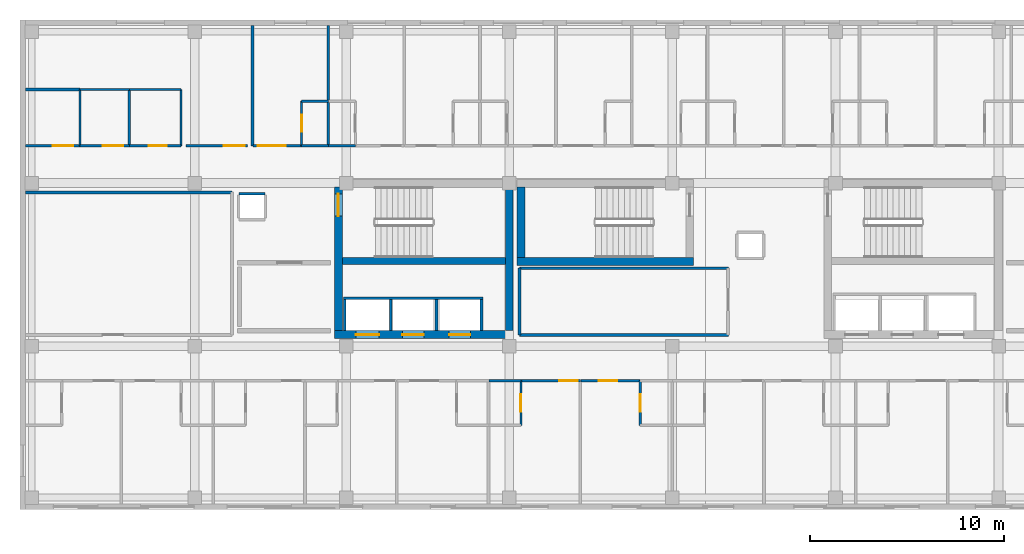
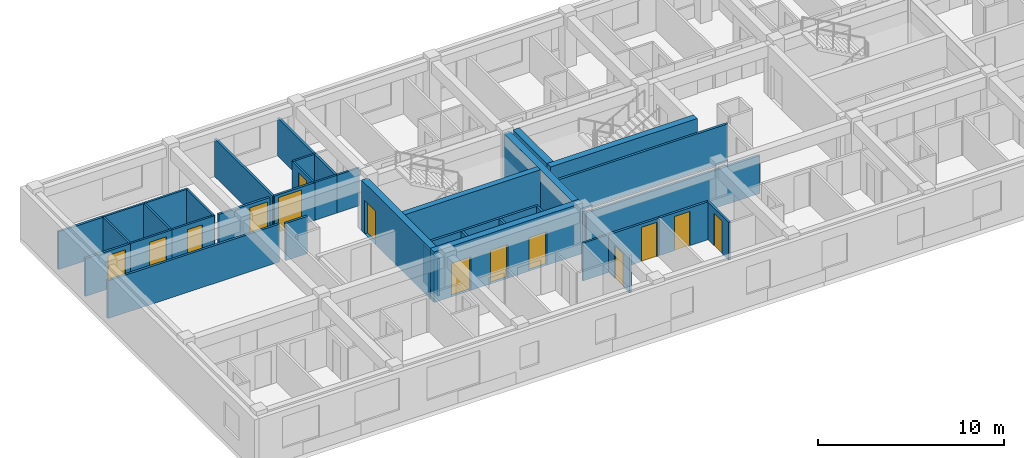
# One storey, part 3 of 11: 38 walls, 14 doors, 14 openings.
"""IFC4 building model written with IfcOpenShell, lengths in metres."""

from ifc_helpers import new_model, si_unit, direction, frame, frame_2d, origin, place, context, subcontext, project, spatial, rectangle, extrude, material, layer, layer_set, type_object, element, fill, save


model = new_model("IFC4")

# Units and contexts
model_context = context("Model", 3, precision=1e-05, world=origin(), true_north=direction((0.0, 1.0)))
body_context = subcontext(model_context, "Body", "Model", "MODEL_VIEW")
ifc_project = project(units=[si_unit("LENGTHUNIT", "METRE"), si_unit("AREAUNIT", "SQUARE_METRE"), si_unit("VOLUMEUNIT", "CUBIC_METRE"), si_unit("PLANEANGLEUNIT", "RADIAN"), si_unit("MASSUNIT", "GRAM", prefix="KILO")], contexts=[model_context])

# Site, building, storey
site_placement = place(None, origin())
site = spatial("IfcSite", under=ifc_project, at=site_placement, CompositionType="ELEMENT")
building_placement = place(site_placement, origin())
building = spatial("IfcBuilding", under=site, at=building_placement, Name="Zayran Congress Hotel", CompositionType="ELEMENT")
storey_placement = place(building_placement, frame((0.0, 0.0, 26.39990234375)))
storey = spatial("IfcBuildingStorey", under=building, at=storey_placement, Name="L06", CompositionType="ELEMENT", Elevation=26.39990234375)

# Wall, openings, doors
ifc_material_1 = material(Name="Concrete C40/50", Category="concrete")
ifc_layer_1 = layer(ifc_material_1, 0.39990234375)
ifc_layer_set_1 = layer_set([ifc_layer_1], Name="Concrete C40/50")
wall_type_1 = type_object("IfcWallType", Name="WL-SH-400", PredefinedType="SHEAR", material=ifc_layer_set_1)
wall_1_placement = place(storey_placement, frame((24.60009765625, 17.800048828125, 0.0), z_axis=(0.0, 0.0, 1.0), x_axis=(1.0, 0.0, 0.0)))
wall_1 = element("IfcWall", 1, at=wall_1_placement, inside=storey, type_object=wall_type_1, Name="CWALL-C-V5W-L06-S", PredefinedType="SHEAR", context=body_context, shape_type="SweptSolid", body=[
    extrude(rectangle(XDim=9.199951171875, YDim=0.39990234375, at=frame_2d((4.60009765625, 0.0))), origin(), (0.0, 0.0, 1.0), 3.320068359375),
])
opening_1_placement = place(wall_1_placement, frame((1.10009765625, 0.0, 0.0)))
opening_1 = element("IfcOpeningElement", 2, at=opening_1_placement, cuts=wall_1, Name="Opening LD-FL01", PredefinedType="OPENING", context=body_context, shape_type="SweptSolid", body=[
    extrude(rectangle(XDim=1.199951171875, YDim=2.199951171875, at=frame_2d((0.60009765625, 1.10009765625))), frame((0.0, 0.2099609375, 0.0), z_axis=(0.0, -1.0, 0.0), x_axis=(1.0, 0.0, 0.0)), (0.0, 0.0, 1.0), 0.419921875),
])
opening_2_placement = place(wall_1_placement, frame((3.5, 0.0, 0.0)))
opening_2 = element("IfcOpeningElement", 3, at=opening_2_placement, cuts=wall_1, Name="Opening LD-PL01", PredefinedType="OPENING", context=body_context, shape_type="SweptSolid", body=[
    extrude(rectangle(XDim=1.10009765625, YDim=2.199951171875, at=frame_2d((0.550048828125, 1.10009765625))), frame((0.0, 0.2099609375, 0.0), z_axis=(0.0, -1.0, 0.0), x_axis=(1.0, 0.0, 0.0)), (0.0, 0.0, 1.0), 0.419921875),
])
opening_3_placement = place(wall_1_placement, frame((5.89990234375, 0.0, 0.0)))
opening_3 = element("IfcOpeningElement", 4, at=opening_3_placement, cuts=wall_1, Name="Opening LD-PL02", PredefinedType="OPENING", context=body_context, shape_type="SweptSolid", body=[
    extrude(rectangle(XDim=1.10009765625, YDim=2.199951171875, at=frame_2d((0.550048828125, 1.10009765625))), frame((0.0, 0.2099609375, 0.0), z_axis=(0.0, -1.0, 0.0), x_axis=(1.0, 0.0, 0.0)), (0.0, 0.0, 1.0), 0.419921875),
])
ifc_material_2 = material(Name="Brushed stainless steel sliding lift landing door", Category="steel")
door_type_1 = type_object("IfcDoorType", Name="TP-DR-LD-01", OperationType="DOUBLE_DOOR_SLIDING", PredefinedType="DOOR", material=ifc_material_2)
door_1_placement = place(opening_2_placement, origin())
door_1 = element("IfcDoor", 5, at=door_1_placement, inside=storey, type_object=door_type_1, Name="Lift PL-01 Sliding Landing Door L06", OperationType="DOUBLE_DOOR_SLIDING", OverallHeight=2.199951171875, OverallWidth=1.10009765625, PredefinedType="DOOR", context=body_context, shape_type="SweptSolid", body=[
    extrude(rectangle(XDim=1.10009765625, YDim=2.199951171875, at=frame_2d((0.550048828125, 1.10009765625))), frame((0.0, 0.02490234375, 0.0), z_axis=(0.0, -1.0, 0.0), x_axis=(1.0, 0.0, 0.0)), (0.0, 0.0, 1.0), 0.050048828125),
])
fill(opening_2, door_1)
door_2_placement = place(opening_3_placement, origin())
door_2 = element("IfcDoor", 6, at=door_2_placement, inside=storey, type_object=door_type_1, Name="Lift PL-02 Sliding Landing Door L06", OperationType="DOUBLE_DOOR_SLIDING", OverallHeight=2.199951171875, OverallWidth=1.10009765625, PredefinedType="DOOR", context=body_context, shape_type="SweptSolid", body=[
    extrude(rectangle(XDim=1.10009765625, YDim=2.199951171875, at=frame_2d((0.550048828125, 1.10009765625))), frame((0.0, 0.02490234375, 0.0), z_axis=(0.0, -1.0, 0.0), x_axis=(1.0, 0.0, 0.0)), (0.0, 0.0, 1.0), 0.050048828125),
])
fill(opening_3, door_2)
ifc_material_3 = material(Name="Brushed stainless steel firefighting lift landing door", Category="steel")
door_type_2 = type_object("IfcDoorType", Name="TP-DR-LD-02", OperationType="DOUBLE_DOOR_SLIDING", PredefinedType="DOOR", material=ifc_material_3)
door_3_placement = place(opening_1_placement, origin())
door_3 = element("IfcDoor", 7, at=door_3_placement, inside=storey, type_object=door_type_2, Name="Lift FL-01 Sliding Landing Door L06", OperationType="DOUBLE_DOOR_SLIDING", OverallHeight=2.199951171875, OverallWidth=1.199951171875, PredefinedType="DOOR", context=body_context, shape_type="SweptSolid", body=[
    extrude(rectangle(XDim=1.199951171875, YDim=2.199951171875, at=frame_2d((0.60009765625, 1.10009765625))), frame((0.0, 0.02490234375, 0.0), z_axis=(0.0, -1.0, 0.0), x_axis=(1.0, 0.0, 0.0)), (0.0, 0.0, 1.0), 0.050048828125),
])
fill(opening_1, door_3)

# Wall, opening, door
wall_2_placement = place(storey_placement, frame((24.800048828125, 25.39990234375, 0.0), z_axis=(0.0, 0.0, 1.0), x_axis=(0.0, -1.0, 0.0)))
wall_2 = element("IfcWall", 8, at=wall_2_placement, inside=storey, type_object=wall_type_1, Name="CWALL-C-V5W-L06-W", PredefinedType="SHEAR", context=body_context, shape_type="SweptSolid", body=[
    extrude(rectangle(XDim=7.39990234375, YDim=0.39990234375, at=frame_2d((3.699951171875, 0.0))), origin(), (0.0, 0.0, 1.0), 3.320068359375),
])
opening_4_placement = place(wall_2_placement, frame((0.35009765625, 0.0, 0.0)))
opening_4 = element("IfcOpeningElement", 9, at=opening_4_placement, cuts=wall_2, Name="Opening DR-FD-90", PredefinedType="OPENING", context=body_context, shape_type="SweptSolid", body=[
    extrude(rectangle(XDim=1.14990234375, YDim=2.199951171875, at=frame_2d((0.574951171875, 1.10009765625))), frame((0.0, 0.2099609375, 0.0), z_axis=(0.0, -1.0, 0.0), x_axis=(1.0, 0.0, 0.0)), (0.0, 0.0, 1.0), 0.419921875),
])
ifc_material_4 = material(Name="Painted steel fire door assembly", Category="steel")
door_type_3 = type_object("IfcDoorType", Name="TP-DR-FD-90", OperationType="NOTDEFINED", PredefinedType="DOOR", material=ifc_material_4)
door_4_placement = place(opening_4_placement, origin())
door_4 = element("IfcDoor", 10, at=door_4_placement, inside=storey, type_object=door_type_3, Name="ST-01 Exit Stair Door L06", OperationType="SINGLE_SWING_LEFT", OverallHeight=2.199951171875, OverallWidth=1.14990234375, PredefinedType="DOOR", context=body_context, shape_type="SweptSolid", body=[
    extrude(rectangle(XDim=1.14990234375, YDim=2.199951171875, at=frame_2d((0.574951171875, 1.10009765625))), frame((0.0, 0.02490234375, 0.0), z_axis=(0.0, -1.0, 0.0), x_axis=(1.0, 0.0, 0.0)), (0.0, 0.0, 1.0), 0.050048828125),
])
fill(opening_4, door_4)

# Walls
wall_3_placement = place(storey_placement, frame((33.60009765625, 18.0, 0.0), z_axis=(0.0, 0.0, 1.0), x_axis=(0.0, 1.0, 0.0)))
element("IfcWall", 11, at=wall_3_placement, inside=storey, type_object=wall_type_1, Name="CWALL-C-V5W-L06-E", PredefinedType="SHEAR", context=body_context, shape_type="SweptSolid", body=[
    extrude(rectangle(XDim=7.39990234375, YDim=0.39990234375, at=frame_2d((3.699951171875, 0.0))), origin(), (0.0, 0.0, 1.0), 3.320068359375),
])
wall_4_placement = place(storey_placement, frame((34.0, 21.56005859375, 0.0), z_axis=(0.0, 0.0, 1.0), x_axis=(1.0, 0.0, 0.0)))
element("IfcWall", 12, at=wall_4_placement, inside=storey, type_object=wall_type_1, Name="CWALL-C-V5M-L06-S", PredefinedType="SHEAR", context=body_context, shape_type="SweptSolid", body=[
    extrude(rectangle(XDim=9.10009765625, YDim=0.39990234375, at=frame_2d((4.550048828125, 0.0))), origin(), (0.0, 0.0, 1.0), 3.320068359375),
])
wall_5_placement = place(storey_placement, frame((34.199951171875, 25.39990234375, 0.0), z_axis=(0.0, 0.0, 1.0), x_axis=(0.0, -1.0, 0.0)))
element("IfcWall", 13, at=wall_5_placement, inside=storey, type_object=wall_type_1, Name="CWALL-C-V5M-L06-W", PredefinedType="SHEAR", context=body_context, shape_type="SweptSolid", body=[
    extrude(rectangle(XDim=3.639892578125, YDim=0.39990234375, at=frame_2d((1.81982421875, 0.0))), origin(), (0.0, 0.0, 1.0), 3.320068359375),
])
ifc_layer_2 = layer(ifc_material_1, 0.35009765625)
ifc_layer_set_2 = layer_set([ifc_layer_2], Name="Concrete C40/50")
wall_type_2 = type_object("IfcWallType", Name="WL-SH-350", PredefinedType="SHEAR", material=ifc_layer_set_2)
wall_6_placement = place(storey_placement, frame((25.0, 21.5849609375, 0.0), z_axis=(0.0, 0.0, 1.0), x_axis=(1.0, 0.0, 0.0)))
element("IfcWall", 14, at=wall_6_placement, inside=storey, type_object=wall_type_2, Name="CWALL-C-V5W-L06-SPN", PredefinedType="SHEAR", context=body_context, shape_type="SweptSolid", body=[
    extrude(rectangle(XDim=8.39990234375, YDim=0.35009765625, at=frame_2d((4.199951171875, 0.0))), origin(), (0.0, 0.0, 1.0), 3.320068359375),
])
ifc_material_5 = material(Name="Hospitality guestroom acoustic partition", Category="gypsum")
ifc_layer_3 = layer(ifc_material_5, 0.139892578125)
ifc_layer_set_3 = layer_set([ifc_layer_3], Name="Hospitality guestroom acoustic partition")
wall_type_3 = type_object("IfcWallType", Name="WL-PT-140", PredefinedType="PARTITIONING", material=ifc_layer_set_3)
for number, where, z_axis, x_axis, name in (
    (15, (25.1298828125, 18.0, 0.0), (0.0, 0.0, 1.0), (0.0, 1.0, 0.0), "LSHW-C-V5W-L06-W"),
    (16, (27.5, 18.0, 0.0), (0.0, 0.0, 1.0), (0.0, 1.0, 0.0), "LSHW-C-V5W-L06-DIV1"),
    (17, (29.85009765625, 18.0, 0.0), (0.0, 0.0, 1.0), (0.0, 1.0, 0.0), "LSHW-C-V5W-L06-DIV2"),
    (18, (32.169921875, 18.0, 0.0), (0.0, 0.0, 1.0), (0.0, 1.0, 0.0), "LSHW-C-V5W-L06-E"),
):
    element("IfcWall", number, at=place(storey_placement, frame(where, z_axis=z_axis, x_axis=x_axis)), inside=storey, type_object=wall_type_3, Name=name, PredefinedType="PARTITIONING", context=body_context, shape_type="SweptSolid", body=[
        extrude(rectangle(XDim=1.60009765625, YDim=0.139892578125, at=frame_2d((0.800048828125, 0.0))), origin(), (0.0, 0.0, 1.0), 2.47021484375),
    ])
wall_7_placement = place(storey_placement, frame((25.06005859375, 19.669921875, 0.0), z_axis=(0.0, 0.0, 1.0), x_axis=(1.0, 0.0, 0.0)))
element("IfcWall", 19, at=wall_7_placement, inside=storey, type_object=wall_type_3, Name="LSHW-C-V5W-L06-N", PredefinedType="PARTITIONING", context=body_context, shape_type="SweptSolid", body=[
    extrude(rectangle(XDim=7.179931640625, YDim=0.139892578125, at=frame_2d((3.58984375, 0.0))), origin(), (0.0, 0.0, 1.0), 2.47021484375),
])

# Wall, opening, door
wall_8_placement = place(storey_placement, frame((34.199951171875, 15.419921875, 0.0), z_axis=(0.0, 0.0, 1.0), x_axis=(1.0, 0.0, 0.0)))
wall_8 = element("IfcWall", 20, at=wall_8_placement, inside=storey, type_object=wall_type_3, Name="IW-L06-0697", PredefinedType="PARTITIONING", context=body_context, shape_type="SweptSolid", body=[
    extrude(rectangle(XDim=3.06103515625, YDim=0.139892578125, at=frame_2d((1.530517578125, 0.0))), origin(), (0.0, 0.0, 1.0), 2.47998046875),
])
opening_5_placement = place(wall_8_placement, frame((1.9609375, 0.0, 0.0)))
opening_5 = element("IfcOpeningElement", 21, at=opening_5_placement, cuts=wall_8, Name="Opening DR-GR-03", PredefinedType="OPENING", context=body_context, shape_type="SweptSolid", body=[
    extrude(rectangle(XDim=0.9599609375, YDim=2.25, at=frame_2d((0.47998046875, 1.125))), frame((0.0, 0.079833984375, 0.0), z_axis=(0.0, -1.0, 0.0), x_axis=(1.0, 0.0, 0.0)), (0.0, 0.0, 1.0), 0.159912109375),
])
ifc_material_6 = material(Name="Executive walnut veneer entry door", Category="wood")
door_type_4 = type_object("IfcDoorType", Name="TP-DR-GR-03", OperationType="NOTDEFINED", PredefinedType="DOOR", material=ifc_material_6)
door_5_placement = place(opening_5_placement, origin())
door_5 = element("IfcDoor", 22, at=door_5_placement, inside=storey, type_object=door_type_4, Name="Guest Room L06-06 Door", OperationType="SINGLE_SWING_RIGHT", OverallHeight=2.25, OverallWidth=0.9599609375, PredefinedType="DOOR", context=body_context, shape_type="SweptSolid", body=[
    extrude(rectangle(XDim=0.9599609375, YDim=2.25, at=frame_2d((0.47998046875, 1.125))), frame((0.0, 0.02490234375, 0.0), z_axis=(0.0, -1.0, 0.0), x_axis=(1.0, 0.0, 0.0)), (0.0, 0.0, 1.0), 0.050048828125),
])
fill(opening_5, door_5)

wall_9_placement = place(storey_placement, frame((37.281005859375, 15.419921875, 0.0), z_axis=(0.0, 0.0, 1.0), x_axis=(1.0, 0.0, 0.0)))
wall_9 = element("IfcWall", 23, at=wall_9_placement, inside=storey, type_object=wall_type_3, Name="IW-L06-0698", PredefinedType="PARTITIONING", context=body_context, shape_type="SweptSolid", body=[
    extrude(rectangle(XDim=3.06103515625, YDim=0.139892578125, at=frame_2d((1.530517578125, 0.0))), origin(), (0.0, 0.0, 1.0), 2.47998046875),
])
opening_6_placement = place(wall_9_placement, frame((0.919921875, 0.0, 0.0)))
opening_6 = element("IfcOpeningElement", 24, at=opening_6_placement, cuts=wall_9, Name="Opening DR-GR-03", PredefinedType="OPENING", context=body_context, shape_type="SweptSolid", body=[
    extrude(rectangle(XDim=0.9599609375, YDim=2.25, at=frame_2d((0.47998046875, 1.125))), frame((0.0, 0.079833984375, 0.0), z_axis=(0.0, -1.0, 0.0), x_axis=(1.0, 0.0, 0.0)), (0.0, 0.0, 1.0), 0.159912109375),
])
door_6_placement = place(opening_6_placement, origin())
door_6 = element("IfcDoor", 25, at=door_6_placement, inside=storey, type_object=door_type_4, Name="Guest Room L06-07 Door", OperationType="SINGLE_SWING_LEFT", OverallHeight=2.25, OverallWidth=0.9599609375, PredefinedType="DOOR", context=body_context, shape_type="SweptSolid", body=[
    extrude(rectangle(XDim=0.9599609375, YDim=2.25, at=frame_2d((0.47998046875, 1.125))), frame((0.0, 0.02490234375, 0.0), z_axis=(0.0, -1.0, 0.0), x_axis=(1.0, 0.0, 0.0)), (0.0, 0.0, 1.0), 0.050048828125),
])
fill(opening_6, door_6)

wall_10_placement = place(storey_placement, frame((8.679931640625, 27.530029296875, 0.0), z_axis=(0.0, 0.0, 1.0), x_axis=(1.0, 0.0, 0.0)))
wall_10 = element("IfcWall", 26, at=wall_10_placement, inside=storey, type_object=wall_type_3, Name="IW-L06-0706", PredefinedType="PARTITIONING", context=body_context, shape_type="SweptSolid", body=[
    extrude(rectangle(XDim=2.800048828125, YDim=0.139892578125, at=frame_2d((1.39990234375, 0.0))), origin(), (0.0, 0.0, 1.0), 2.47998046875),
])
opening_7_placement = place(wall_10_placement, frame((1.409912109375, 0.0, 0.0)))
opening_7 = element("IfcOpeningElement", 27, at=opening_7_placement, cuts=wall_10, Name="Opening DR-PL-02", PredefinedType="OPENING", context=body_context, shape_type="SweptSolid", body=[
    extrude(rectangle(XDim=1.06005859375, YDim=2.199951171875, at=frame_2d((0.530029296875, 1.10009765625))), frame((0.0, 0.079833984375, 0.0), z_axis=(0.0, -1.0, 0.0), x_axis=(1.0, 0.0, 0.0)), (0.0, 0.0, 1.0), 0.159912109375),
])
ifc_material_7 = material(Name="Painted steel store room fire door", Category="steel")
door_type_5 = type_object("IfcDoorType", Name="TP-DR-PL-02", OperationType="NOTDEFINED", PredefinedType="DOOR", material=ifc_material_7)
door_7_placement = place(opening_7_placement, origin())
door_7 = element("IfcDoor", 28, at=door_7_placement, inside=storey, type_object=door_type_5, Name="Housekeeping and Linen Store L06 Door", OperationType="SINGLE_SWING_RIGHT", OverallHeight=2.199951171875, OverallWidth=1.06005859375, PredefinedType="DOOR", context=body_context, shape_type="SweptSolid", body=[
    extrude(rectangle(XDim=1.06005859375, YDim=2.199951171875, at=frame_2d((0.530029296875, 1.10009765625))), frame((0.0, 0.02490234375, 0.0), z_axis=(0.0, -1.0, 0.0), x_axis=(1.0, 0.0, 0.0)), (0.0, 0.0, 1.0), 0.050048828125),
])
fill(opening_7, door_7)

wall_11_placement = place(storey_placement, frame((16.9599609375, 27.530029296875, 0.0), z_axis=(0.0, 0.0, 1.0), x_axis=(1.0, 0.0, 0.0)))
wall_11 = element("IfcWall", 29, at=wall_11_placement, inside=storey, type_object=wall_type_3, Name="IW-L06-0707", PredefinedType="PARTITIONING", context=body_context, shape_type="SweptSolid", body=[
    extrude(rectangle(XDim=3.16015625, YDim=0.139892578125, at=frame_2d((1.580078125, 0.0))), origin(), (0.0, 0.0, 1.0), 2.47998046875),
])
opening_8_placement = place(wall_11_placement, frame((1.93994140625, 0.0, 0.0)))
opening_8 = element("IfcOpeningElement", 30, at=opening_8_placement, cuts=wall_11, Name="Opening DR-MT-01", PredefinedType="OPENING", context=body_context, shape_type="SweptSolid", body=[
    extrude(rectangle(XDim=1.080078125, YDim=2.25, at=frame_2d((0.5400390625, 1.125))), frame((0.0, 0.079833984375, 0.0), z_axis=(0.0, -1.0, 0.0), x_axis=(1.0, 0.0, 0.0)), (0.0, 0.0, 1.0), 0.159912109375),
])
ifc_material_8 = material(Name="Acoustic timber seminar room door", Category="wood")
door_type_6 = type_object("IfcDoorType", Name="TP-DR-MT-01", OperationType="NOTDEFINED", PredefinedType="DOOR", material=ifc_material_8)
door_8_placement = place(opening_8_placement, origin())
door_8 = element("IfcDoor", 31, at=door_8_placement, inside=storey, type_object=door_type_6, Name="Business Seminar Suite L06 Door", OperationType="SINGLE_SWING_LEFT", OverallHeight=2.25, OverallWidth=1.080078125, PredefinedType="DOOR", context=body_context, shape_type="SweptSolid", body=[
    extrude(rectangle(XDim=1.080078125, YDim=2.25, at=frame_2d((0.5400390625, 1.125))), frame((0.0, 0.02490234375, 0.0), z_axis=(0.0, -1.0, 0.0), x_axis=(1.0, 0.0, 0.0)), (0.0, 0.0, 1.0), 0.050048828125),
])
fill(opening_8, door_8)

wall_12_placement = place(storey_placement, frame((20.389892578125, 27.530029296875, 0.0), z_axis=(0.0, 0.0, 1.0), x_axis=(1.0, 0.0, 0.0)))
wall_12 = element("IfcWall", 32, at=wall_12_placement, inside=storey, type_object=wall_type_3, Name="IW-L06-0708", PredefinedType="PARTITIONING", context=body_context, shape_type="SweptSolid", body=[
    extrude(rectangle(XDim=2.51220703125, YDim=0.139892578125, at=frame_2d((1.256103515625, 0.0))), origin(), (0.0, 0.0, 1.0), 2.47998046875),
])
opening_9_placement = place(wall_12_placement, frame((0.251953125, 0.0, 0.0)))
opening_9 = element("IfcOpeningElement", 33, at=opening_9_placement, cuts=wall_12, Name="Opening DR-ST-01", PredefinedType="OPENING", context=body_context, shape_type="SweptSolid", body=[
    extrude(rectangle(XDim=1.449951171875, YDim=2.300048828125, at=frame_2d((0.72509765625, 1.14990234375))), frame((0.0, 0.079833984375, 0.0), z_axis=(0.0, -1.0, 0.0), x_axis=(1.0, 0.0, 0.0)), (0.0, 0.0, 1.0), 0.159912109375),
])
ifc_material_9 = material(Name="Double walnut veneer suite entry door", Category="wood")
door_type_7 = type_object("IfcDoorType", Name="TP-DR-ST-01", OperationType="DOUBLE_DOOR_SINGLE_SWING", PredefinedType="DOOR", material=ifc_material_9)
door_9_placement = place(opening_9_placement, origin())
door_9 = element("IfcDoor", 34, at=door_9_placement, inside=storey, type_object=door_type_7, Name="Executive Suite L06-15 Door", OperationType="DOUBLE_DOOR_SINGLE_SWING", OverallHeight=2.300048828125, OverallWidth=1.449951171875, PredefinedType="DOOR", context=body_context, shape_type="SweptSolid", body=[
    extrude(rectangle(XDim=1.449951171875, YDim=2.300048828125, at=frame_2d((0.72509765625, 1.14990234375))), frame((0.0, 0.02490234375, 0.0), z_axis=(0.0, -1.0, 0.0), x_axis=(1.0, 0.0, 0.0)), (0.0, 0.0, 1.0), 0.050048828125),
])
fill(opening_9, door_9)

# Walls
for number, where, z_axis, x_axis, name in (
    (35, (34.1201171875, 17.780029296875, 0.0), (0.0, 0.0, 1.0), (1.0, 0.0, 0.0), "IW-L06-2016"),
    (36, (34.1201171875, 21.219970703125, 0.0), (0.0, 0.0, 1.0), (1.0, 0.0, 0.0), "IW-L06-2017"),
):
    element("IfcWall", number, at=place(storey_placement, frame(where, z_axis=z_axis, x_axis=x_axis)), inside=storey, type_object=wall_type_3, Name=name, PredefinedType="PARTITIONING", context=body_context, shape_type="SweptSolid", body=[
        extrude(rectangle(XDim=10.759765625, YDim=0.139892578125, at=frame_2d((5.3798828125, 0.0))), origin(), (0.0, 0.0, 1.0), 2.47998046875),
    ])
wall_13_placement = place(storey_placement, frame((34.1298828125, 17.77001953125, 0.0), z_axis=(0.0, 0.0, 1.0), x_axis=(0.0, 1.0, 0.0)))
element("IfcWall", 37, at=wall_13_placement, inside=storey, type_object=wall_type_3, Name="IW-L06-2018", PredefinedType="PARTITIONING", context=body_context, shape_type="SweptSolid", body=[
    extrude(rectangle(XDim=3.4599609375, YDim=0.139892578125, at=frame_2d((1.72998046875, 0.0))), origin(), (0.0, 0.0, 1.0), 2.47998046875),
])
wall_14_placement = place(storey_placement, frame((8.679931640625, 25.1201171875, 0.0), z_axis=(0.0, 0.0, 1.0), x_axis=(1.0, 0.0, 0.0)))
element("IfcWall", 38, at=wall_14_placement, inside=storey, type_object=wall_type_3, Name="IW-L06-2019", PredefinedType="PARTITIONING", context=body_context, shape_type="SweptSolid", body=[
    extrude(rectangle(XDim=10.650146484375, YDim=0.139892578125, at=frame_2d((5.3251953125, 0.0))), origin(), (0.0, 0.0, 1.0), 2.47998046875),
])
wall_15_placement = place(storey_placement, frame((8.679931640625, 30.419921875, 0.0), z_axis=(0.0, 0.0, 1.0), x_axis=(1.0, 0.0, 0.0)))
element("IfcWall", 39, at=wall_15_placement, inside=storey, type_object=wall_type_3, Name="IW-L06-2036", PredefinedType="PARTITIONING", context=body_context, shape_type="SweptSolid", body=[
    extrude(rectangle(XDim=2.800048828125, YDim=0.139892578125, at=frame_2d((1.39990234375, 0.0))), origin(), (0.0, 0.0, 1.0), 2.47998046875),
])
for number, where, z_axis, x_axis, name in (
    (40, (20.3701171875, 27.52001953125, 0.0), (0.0, 0.0, 1.0), (0.0, 1.0, 0.0), "IW-L06-2037"),
    (41, (24.279052734375, 27.52001953125, 0.0), (0.0, 0.0, 1.0), (0.0, 1.0, 0.0), "IW-L06-2038"),
):
    element("IfcWall", number, at=place(storey_placement, frame(where, z_axis=z_axis, x_axis=x_axis)), inside=storey, type_object=wall_type_3, Name=name, PredefinedType="PARTITIONING", context=body_context, shape_type="SweptSolid", body=[
        extrude(rectangle(XDim=6.199951171875, YDim=0.139892578125, at=frame_2d((3.10009765625, 0.0))), origin(), (0.0, 0.0, 1.0), 2.47998046875),
    ])
wall_16_placement = place(storey_placement, frame((21.030029296875, 25.050048828125, 0.0), z_axis=(0.0, 0.0, 1.0), x_axis=(-1.0, 0.0, 0.0)))
element("IfcWall", 42, at=wall_16_placement, inside=storey, type_object=wall_type_3, Name="RSWL-V5-L06-041-N", PredefinedType="PARTITIONING", context=body_context, shape_type="SweptSolid", body=[
    extrude(rectangle(XDim=1.360107421875, YDim=0.139892578125, at=frame_2d((0.68017578125, 0.0))), origin(), (0.0, 0.0, 1.0), 2.440185546875),
])

# Wall, opening, door
ifc_material_10 = material(Name="Moisture-resistant bathroom partition", Category="gypsum")
ifc_layer_4 = layer(ifc_material_10, 0.1201171875)
ifc_layer_set_4 = layer_set([ifc_layer_4], Name="Moisture-resistant bathroom partition")
wall_type_4 = type_object("IfcWallType", Name="WL-PT-120", PredefinedType="PARTITIONING", material=ifc_layer_set_4)
wall_17_placement = place(storey_placement, frame((34.199951171875, 13.1201171875, 0.0), z_axis=(0.0, 0.0, 1.0), x_axis=(0.0, 1.0, 0.0)))
wall_17 = element("IfcWall", 43, at=wall_17_placement, inside=storey, type_object=wall_type_4, Name="IW-L06-0196", PredefinedType="PARTITIONING", context=body_context, shape_type="SweptSolid", body=[
    extrude(rectangle(XDim=2.309814453125, YDim=0.1201171875, at=frame_2d((1.15478515625, 0.0))), origin(), (0.0, 0.0, 1.0), 2.47998046875),
])
opening_10_placement = place(wall_17_placement, frame((0.715087890625, 0.0, 0.0)))
opening_10 = element("IfcOpeningElement", 44, at=opening_10_placement, cuts=wall_17, Name="Opening DR-BT-01", PredefinedType="OPENING", context=body_context, shape_type="SweptSolid", body=[
    extrude(rectangle(XDim=0.8798828125, YDim=2.14990234375, at=frame_2d((0.43994140625, 1.074951171875))), frame((0.0, 0.070068359375, 0.0), z_axis=(0.0, -1.0, 0.0), x_axis=(1.0, 0.0, 0.0)), (0.0, 0.0, 1.0), 0.14013671875),
])
ifc_material_11 = material(Name="Moisture-resistant oak en-suite door", Category="wood")
door_type_8 = type_object("IfcDoorType", Name="TP-DR-BT-01", OperationType="NOTDEFINED", PredefinedType="DOOR", material=ifc_material_11)
door_10_placement = place(opening_10_placement, origin())
door_10 = element("IfcDoor", 45, at=door_10_placement, inside=storey, type_object=door_type_8, Name="En-Suite Bathroom L06-06 Door", OperationType="SINGLE_SWING_LEFT", OverallHeight=2.14990234375, OverallWidth=0.8798828125, PredefinedType="DOOR", context=body_context, shape_type="SweptSolid", body=[
    extrude(rectangle(XDim=0.8798828125, YDim=2.14990234375, at=frame_2d((0.43994140625, 1.074951171875))), frame((0.0, 0.02490234375, 0.0), z_axis=(0.0, -1.0, 0.0), x_axis=(1.0, 0.0, 0.0)), (0.0, 0.0, 1.0), 0.050048828125),
])
fill(opening_10, door_10)

wall_18_placement = place(storey_placement, frame((40.342041015625, 13.1201171875, 0.0), z_axis=(0.0, 0.0, 1.0), x_axis=(0.0, 1.0, 0.0)))
wall_18 = element("IfcWall", 46, at=wall_18_placement, inside=storey, type_object=wall_type_4, Name="IW-L06-0197", PredefinedType="PARTITIONING", context=body_context, shape_type="SweptSolid", body=[
    extrude(rectangle(XDim=2.309814453125, YDim=0.1201171875, at=frame_2d((1.15478515625, 0.0))), origin(), (0.0, 0.0, 1.0), 2.47998046875),
])
opening_11_placement = place(wall_18_placement, frame((0.715087890625, 0.0, 0.0)))
opening_11 = element("IfcOpeningElement", 47, at=opening_11_placement, cuts=wall_18, Name="Opening DR-BT-01", PredefinedType="OPENING", context=body_context, shape_type="SweptSolid", body=[
    extrude(rectangle(XDim=0.8798828125, YDim=2.14990234375, at=frame_2d((0.43994140625, 1.074951171875))), frame((0.0, 0.070068359375, 0.0), z_axis=(0.0, -1.0, 0.0), x_axis=(1.0, 0.0, 0.0)), (0.0, 0.0, 1.0), 0.14013671875),
])
door_11_placement = place(opening_11_placement, origin())
door_11 = element("IfcDoor", 48, at=door_11_placement, inside=storey, type_object=door_type_8, Name="En-Suite Bathroom L06-07 Door", OperationType="SINGLE_SWING_RIGHT", OverallHeight=2.14990234375, OverallWidth=0.8798828125, PredefinedType="DOOR", context=body_context, shape_type="SweptSolid", body=[
    extrude(rectangle(XDim=0.8798828125, YDim=2.14990234375, at=frame_2d((0.43994140625, 1.074951171875))), frame((0.0, 0.02490234375, 0.0), z_axis=(0.0, -1.0, 0.0), x_axis=(1.0, 0.0, 0.0)), (0.0, 0.0, 1.0), 0.050048828125),
])
fill(opening_11, door_11)

wall_19_placement = place(storey_placement, frame((22.902099609375, 27.52001953125, 0.0), z_axis=(0.0, 0.0, 1.0), x_axis=(0.0, 1.0, 0.0)))
wall_19 = element("IfcWall", 49, at=wall_19_placement, inside=storey, type_object=wall_type_4, Name="IW-L06-0205", PredefinedType="PARTITIONING", context=body_context, shape_type="SweptSolid", body=[
    extrude(rectangle(XDim=2.31005859375, YDim=0.1201171875, at=frame_2d((1.155029296875, 0.0))), origin(), (0.0, 0.0, 1.0), 2.47998046875),
])
opening_12_placement = place(wall_19_placement, frame((0.715087890625, 0.0, 0.0)))
opening_12 = element("IfcOpeningElement", 50, at=opening_12_placement, cuts=wall_19, Name="Opening DR-BT-01", PredefinedType="OPENING", context=body_context, shape_type="SweptSolid", body=[
    extrude(rectangle(XDim=0.8798828125, YDim=2.14990234375, at=frame_2d((0.43994140625, 1.074951171875))), frame((0.0, 0.070068359375, 0.0), z_axis=(0.0, -1.0, 0.0), x_axis=(1.0, 0.0, 0.0)), (0.0, 0.0, 1.0), 0.14013671875),
])
door_12_placement = place(opening_12_placement, origin())
door_12 = element("IfcDoor", 51, at=door_12_placement, inside=storey, type_object=door_type_8, Name="En-Suite Bathroom L06-15 Door", OperationType="SINGLE_SWING_RIGHT", OverallHeight=2.14990234375, OverallWidth=0.8798828125, PredefinedType="DOOR", context=body_context, shape_type="SweptSolid", body=[
    extrude(rectangle(XDim=0.8798828125, YDim=2.14990234375, at=frame_2d((0.43994140625, 1.074951171875))), frame((0.0, 0.02490234375, 0.0), z_axis=(0.0, -1.0, 0.0), x_axis=(1.0, 0.0, 0.0)), (0.0, 0.0, 1.0), 0.050048828125),
])
fill(opening_12, door_12)

wall_20_placement = place(storey_placement, frame((11.47998046875, 27.530029296875, 0.0), z_axis=(0.0, 0.0, 1.0), x_axis=(1.0, 0.0, 0.0)))
wall_20 = element("IfcWall", 52, at=wall_20_placement, inside=storey, type_object=wall_type_4, Name="IW-L06-0367", PredefinedType="PARTITIONING", context=body_context, shape_type="SweptSolid", body=[
    extrude(rectangle(XDim=2.56005859375, YDim=0.1201171875, at=frame_2d((1.280029296875, 0.0))), origin(), (0.0, 0.0, 1.0), 2.47998046875),
])
opening_13_placement = place(wall_20_placement, frame((1.18994140625, 0.0, 0.0)))
opening_13 = element("IfcOpeningElement", 53, at=opening_13_placement, cuts=wall_20, Name="Opening DR-WC-02", PredefinedType="OPENING", context=body_context, shape_type="SweptSolid", body=[
    extrude(rectangle(XDim=1.0400390625, YDim=2.14990234375, at=frame_2d((0.52001953125, 1.074951171875))), frame((0.0, 0.070068359375, 0.0), z_axis=(0.0, -1.0, 0.0), x_axis=(1.0, 0.0, 0.0)), (0.0, 0.0, 1.0), 0.14013671875),
])
ifc_material_12 = material(Name="Accessible public washroom door", Category="steel")
door_type_9 = type_object("IfcDoorType", Name="TP-DR-WC-02", OperationType="NOTDEFINED", PredefinedType="DOOR", material=ifc_material_12)
door_13_placement = place(opening_13_placement, origin())
door_13 = element("IfcDoor", 54, at=door_13_placement, inside=storey, type_object=door_type_9, Name="Accessible WC L06 Door", OperationType="SINGLE_SWING_RIGHT", OverallHeight=2.14990234375, OverallWidth=1.0400390625, PredefinedType="DOOR", context=body_context, shape_type="SweptSolid", body=[
    extrude(rectangle(XDim=1.0400390625, YDim=2.14990234375, at=frame_2d((0.52001953125, 1.074951171875))), frame((0.0, 0.02490234375, 0.0), z_axis=(0.0, -1.0, 0.0), x_axis=(1.0, 0.0, 0.0)), (0.0, 0.0, 1.0), 0.050048828125),
])
fill(opening_13, door_13)

wall_21_placement = place(storey_placement, frame((14.0400390625, 27.530029296875, 0.0), z_axis=(0.0, 0.0, 1.0), x_axis=(1.0, 0.0, 0.0)))
wall_21 = element("IfcWall", 55, at=wall_21_placement, inside=storey, type_object=wall_type_4, Name="IW-L06-0368", PredefinedType="PARTITIONING", context=body_context, shape_type="SweptSolid", body=[
    extrude(rectangle(XDim=2.659912109375, YDim=0.1201171875, at=frame_2d((1.330078125, 0.0))), origin(), (0.0, 0.0, 1.0), 2.47998046875),
])
opening_14_placement = place(wall_21_placement, frame((0.986083984375, 0.0, 0.0)))
opening_14 = element("IfcOpeningElement", 56, at=opening_14_placement, cuts=wall_21, Name="Opening DR-WC-01", PredefinedType="OPENING", context=body_context, shape_type="SweptSolid", body=[
    extrude(rectangle(XDim=0.919921875, YDim=2.14990234375, at=frame_2d((0.4599609375, 1.074951171875))), frame((0.0, 0.070068359375, 0.0), z_axis=(0.0, -1.0, 0.0), x_axis=(1.0, 0.0, 0.0)), (0.0, 0.0, 1.0), 0.14013671875),
])
ifc_material_13 = material(Name="Laminated timber public washroom door", Category="wood")
door_type_10 = type_object("IfcDoorType", Name="TP-DR-WC-01", OperationType="NOTDEFINED", PredefinedType="DOOR", material=ifc_material_13)
door_14_placement = place(opening_14_placement, origin())
door_14 = element("IfcDoor", 57, at=door_14_placement, inside=storey, type_object=door_type_10, Name="Public WC L06 Door", OperationType="SINGLE_SWING_LEFT", OverallHeight=2.14990234375, OverallWidth=0.919921875, PredefinedType="DOOR", context=body_context, shape_type="SweptSolid", body=[
    extrude(rectangle(XDim=0.919921875, YDim=2.14990234375, at=frame_2d((0.4599609375, 1.074951171875))), frame((0.0, 0.02490234375, 0.0), z_axis=(0.0, -1.0, 0.0), x_axis=(1.0, 0.0, 0.0)), (0.0, 0.0, 1.0), 0.050048828125),
])
fill(opening_14, door_14)

# Walls
wall_22_placement = place(storey_placement, frame((32.54296875, 15.419921875, 0.0), z_axis=(0.0, 0.0, 1.0), x_axis=(1.0, 0.0, 0.0)))
element("IfcWall", 58, at=wall_22_placement, inside=storey, type_object=wall_type_4, Name="IW-L06-1260", PredefinedType="PARTITIONING", context=body_context, shape_type="SweptSolid", body=[
    extrude(rectangle(XDim=1.6669921875, YDim=0.1201171875, at=frame_2d((0.83349609375, 0.0))), origin(), (0.0, 0.0, 1.0), 2.47998046875),
])
for number, where, z_axis, x_axis, name in (
    (59, (22.89208984375, 27.530029296875, 0.0), (0.0, 0.0, 1.0), (1.0, 0.0, 0.0), "IW-L06-1277"),
    (60, (22.89208984375, 29.820068359375, 0.0), (0.0, 0.0, 1.0), (1.0, 0.0, 0.0), "IW-L06-1278"),
    (61, (24.2890625, 27.530029296875, 0.0), (0.0, 0.0, 1.0), (1.0, 0.0, 0.0), "IW-L06-1279"),
):
    element("IfcWall", number, at=place(storey_placement, frame(where, z_axis=z_axis, x_axis=x_axis)), inside=storey, type_object=wall_type_4, Name=name, PredefinedType="PARTITIONING", context=body_context, shape_type="SweptSolid", body=[
        extrude(rectangle(XDim=1.39697265625, YDim=0.1201171875, at=frame_2d((0.698486328125, 0.0))), origin(), (0.0, 0.0, 1.0), 2.47998046875),
    ])
wall_23_placement = place(storey_placement, frame((11.47998046875, 30.419921875, 0.0), z_axis=(0.0, 0.0, 1.0), x_axis=(1.0, 0.0, 0.0)))
element("IfcWall", 62, at=wall_23_placement, inside=storey, type_object=wall_type_4, Name="IW-L06-1602", PredefinedType="PARTITIONING", context=body_context, shape_type="SweptSolid", body=[
    extrude(rectangle(XDim=2.56005859375, YDim=0.1201171875, at=frame_2d((1.280029296875, 0.0))), origin(), (0.0, 0.0, 1.0), 2.47998046875),
])
for number, where, z_axis, x_axis, name in (
    (63, (11.489990234375, 27.52001953125, 0.0), (0.0, 0.0, 1.0), (0.0, 1.0, 0.0), "IW-L06-1603"),
    (64, (14.030029296875, 27.52001953125, 0.0), (0.0, 0.0, 1.0), (0.0, 1.0, 0.0), "IW-L06-1604"),
):
    element("IfcWall", number, at=place(storey_placement, frame(where, z_axis=z_axis, x_axis=x_axis)), inside=storey, type_object=wall_type_4, Name=name, PredefinedType="PARTITIONING", context=body_context, shape_type="SweptSolid", body=[
        extrude(rectangle(XDim=2.909912109375, YDim=0.1201171875, at=frame_2d((1.455078125, 0.0))), origin(), (0.0, 0.0, 1.0), 2.47998046875),
    ])
wall_24_placement = place(storey_placement, frame((14.0400390625, 30.419921875, 0.0), z_axis=(0.0, 0.0, 1.0), x_axis=(1.0, 0.0, 0.0)))
element("IfcWall", 65, at=wall_24_placement, inside=storey, type_object=wall_type_4, Name="IW-L06-1605", PredefinedType="PARTITIONING", context=body_context, shape_type="SweptSolid", body=[
    extrude(rectangle(XDim=2.659912109375, YDim=0.1201171875, at=frame_2d((1.330078125, 0.0))), origin(), (0.0, 0.0, 1.0), 2.47998046875),
])
wall_25_placement = place(storey_placement, frame((16.68994140625, 27.52001953125, 0.0), z_axis=(0.0, 0.0, 1.0), x_axis=(0.0, 1.0, 0.0)))
element("IfcWall", 66, at=wall_25_placement, inside=storey, type_object=wall_type_4, Name="IW-L06-1606", PredefinedType="PARTITIONING", context=body_context, shape_type="SweptSolid", body=[
    extrude(rectangle(XDim=2.909912109375, YDim=0.1201171875, at=frame_2d((1.455078125, 0.0))), origin(), (0.0, 0.0, 1.0), 2.47998046875),
])

save(model, "model.ifc")
